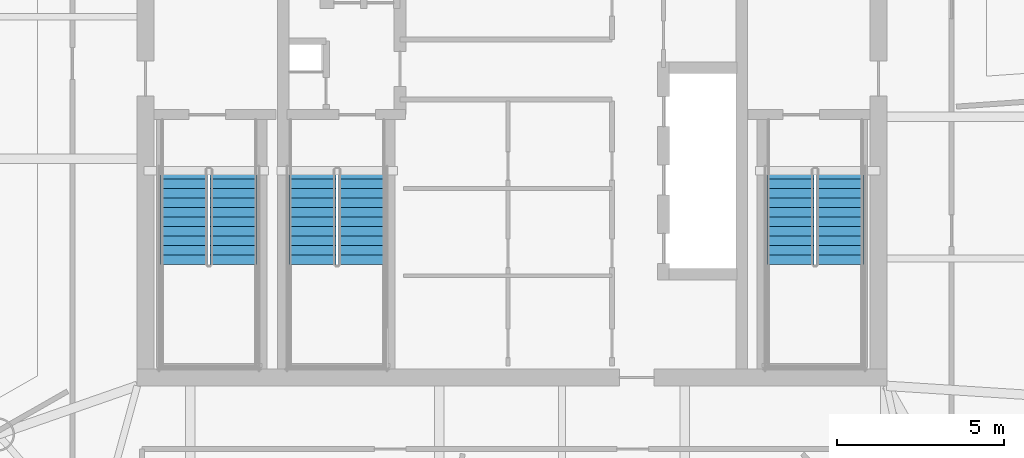
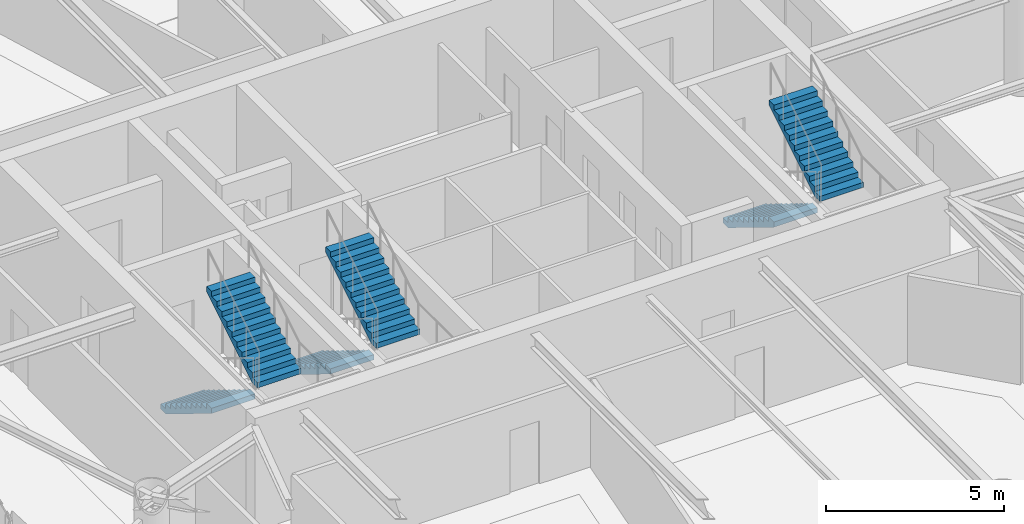
# One storey, part 19 of 23: 6 stair flights, 3 elements without a shape of their own.
"""IFC4 building model written with IfcOpenShell, lengths in metres."""

from ifc_helpers import new_model, si_unit, direction, frame, origin, place, context, subcontext, project, spatial, polyline, outline, extrude, material, type_object, element, aggregate, save


model = new_model("IFC4")

# Units and contexts
model_context = context("Model", 3, precision=1e-05, world=origin(), true_north=direction((0.0, 1.0)))
body_context = subcontext(model_context, "Body", "Model", "MODEL_VIEW")
ifc_project = project(units=[si_unit("LENGTHUNIT", "METRE"), si_unit("AREAUNIT", "SQUARE_METRE"), si_unit("VOLUMEUNIT", "CUBIC_METRE"), si_unit("PLANEANGLEUNIT", "RADIAN"), si_unit("MASSUNIT", "GRAM", prefix="KILO")], contexts=[model_context])

# Site, building, storey
site_placement = place(None, origin())
site = spatial("IfcSite", under=ifc_project, at=site_placement, CompositionType="ELEMENT")
building_placement = place(site_placement, origin())
building = spatial("IfcBuilding", under=site, at=building_placement, Name="Bramvorn Convention Spire", CompositionType="ELEMENT")
storey_placement = place(building_placement, frame((0.0, 0.0, 295.949951171875)))
storey = spatial("IfcBuildingStorey", under=building, at=storey_placement, Name="L75", CompositionType="ELEMENT", Elevation=295.949951171875)

# Stair, stair flights
ifc_material_1 = material(Name="Concrete C40/50 Precast Stair", Category="concrete")
stair_type = type_object("IfcStairType", Name="ST-TOWER-1550", PredefinedType="HALF_TURN_STAIR", material=ifc_material_1)
stair_1_placement = place(storey_placement, origin())
stair_1 = element("IfcStair", 1, at=stair_1_placement, inside=storey, type_object=stair_type, Name="L75 Protected Exit Stair ST1", PredefinedType="HALF_TURN_STAIR")
ifc_material_2 = material(Name="Concrete C40/50 Precast Stair Flight", Category="concrete")
stair_flight_type = type_object("IfcStairFlightType", Name="STF-TOWER-1550", PredefinedType="STRAIGHT", material=ifc_material_2)
stair_flight_1_placement = place(storey_placement, frame((28.155029296875, 25.050048828125, 0.0), z_axis=(0.0, 0.0, 1.0), x_axis=(0.0, -1.0, 0.0)))
stair_flight_1 = element("IfcStairFlight", 2, at=stair_flight_1_placement, type_object=stair_flight_type, Name="ST1 flight 1", NumberOfRisers=11, NumberOfTreads=10, PredefinedType="STRAIGHT", RiserHeight=0.175, TreadLength=0.285, context=body_context, shape_type="SweptSolid", body=[
    extrude(outline(polyline([(0.0, 0.0), (0.0, 0.175048828125), (0.284912109375, 0.175048828125), (0.284912109375, 0.35009765625), (0.570068359375, 0.35009765625), (0.570068359375, 0.52490234375), (0.85498046875, 0.52490234375), (0.85498046875, 0.699951171875), (1.139892578125, 0.699951171875), (1.139892578125, 0.875), (1.425048828125, 0.875), (1.425048828125, 1.050048828125), (1.7099609375, 1.050048828125), (1.7099609375, 1.22509765625), (1.9951171875, 1.22509765625), (1.9951171875, 1.39990234375), (2.280029296875, 1.39990234375), (2.280029296875, 1.574951171875), (2.56494140625, 1.574951171875), (2.56494140625, 1.75), (2.85009765625, 1.75), (2.85009765625, 1.925048828125), (2.85009765625, 1.573974609375), (0.286376953125, 0.0), (0.0, 0.0)])), frame((0.0, 0.705078125, 0.0), z_axis=(0.0, -1.0, 0.0), x_axis=(1.0, 0.0, 0.0)), (0.0, 0.0, 1.0), 1.409912109375),
])
stair_flight_2_placement = place(storey_placement, frame((29.64501953125, 22.199951171875, 1.925048828125), z_axis=(0.0, 0.0, 1.0), x_axis=(0.0, 1.0, 0.0)))
stair_flight_2 = element("IfcStairFlight", 3, at=stair_flight_2_placement, type_object=stair_flight_type, Name="ST1 flight 2", NumberOfRisers=11, NumberOfTreads=10, PredefinedType="STRAIGHT", RiserHeight=0.175, TreadLength=0.285, context=body_context, shape_type="SweptSolid", body=[
    extrude(outline(polyline([(0.0, 0.0), (0.0, 0.175048828125), (0.284912109375, 0.175048828125), (0.284912109375, 0.35009765625), (0.570068359375, 0.35009765625), (0.570068359375, 0.52490234375), (0.85498046875, 0.52490234375), (0.85498046875, 0.699951171875), (1.139892578125, 0.699951171875), (1.139892578125, 0.875), (1.425048828125, 0.875), (1.425048828125, 1.050048828125), (1.7099609375, 1.050048828125), (1.7099609375, 1.22509765625), (1.9951171875, 1.22509765625), (1.9951171875, 1.39990234375), (2.280029296875, 1.39990234375), (2.280029296875, 1.574951171875), (2.56494140625, 1.574951171875), (2.56494140625, 1.75), (2.85009765625, 1.75), (2.85009765625, 1.925048828125), (2.85009765625, 1.573974609375), (0.286376953125, 0.0), (0.0, 0.0)])), frame((0.0, 0.705078125, 0.0), z_axis=(0.0, -1.0, 0.0), x_axis=(1.0, 0.0, 0.0)), (0.0, 0.0, 1.0), 1.409912109375),
])
aggregate(stair_1, [stair_flight_1, stair_flight_2])

stair_2_placement = place(storey_placement, origin())
stair_2 = element("IfcStair", 4, at=stair_2_placement, inside=storey, type_object=stair_type, Name="L75 Protected Exit Stair ST2", PredefinedType="HALF_TURN_STAIR")
stair_flight_3_placement = place(storey_placement, frame((46.35498046875, 25.050048828125, 0.0), z_axis=(0.0, 0.0, 1.0), x_axis=(0.0, -1.0, 0.0)))
stair_flight_3 = element("IfcStairFlight", 5, at=stair_flight_3_placement, type_object=stair_flight_type, Name="ST2 flight 1", NumberOfRisers=11, NumberOfTreads=10, PredefinedType="STRAIGHT", RiserHeight=0.175, TreadLength=0.285, context=body_context, shape_type="SweptSolid", body=[
    extrude(outline(polyline([(0.0, 0.0), (0.0, 0.175048828125), (0.284912109375, 0.175048828125), (0.284912109375, 0.35009765625), (0.570068359375, 0.35009765625), (0.570068359375, 0.52490234375), (0.85498046875, 0.52490234375), (0.85498046875, 0.699951171875), (1.139892578125, 0.699951171875), (1.139892578125, 0.875), (1.425048828125, 0.875), (1.425048828125, 1.050048828125), (1.7099609375, 1.050048828125), (1.7099609375, 1.22509765625), (1.9951171875, 1.22509765625), (1.9951171875, 1.39990234375), (2.280029296875, 1.39990234375), (2.280029296875, 1.574951171875), (2.56494140625, 1.574951171875), (2.56494140625, 1.75), (2.85009765625, 1.75), (2.85009765625, 1.925048828125), (2.85009765625, 1.573974609375), (0.286376953125, 0.0), (0.0, 0.0)])), frame((0.0, 0.705078125, 0.0), z_axis=(0.0, -1.0, 0.0), x_axis=(1.0, 0.0, 0.0)), (0.0, 0.0, 1.0), 1.409912109375),
])
stair_flight_4_placement = place(storey_placement, frame((47.844970703125, 22.199951171875, 1.925048828125), z_axis=(0.0, 0.0, 1.0), x_axis=(0.0, 1.0, 0.0)))
stair_flight_4 = element("IfcStairFlight", 6, at=stair_flight_4_placement, type_object=stair_flight_type, Name="ST2 flight 2", NumberOfRisers=11, NumberOfTreads=10, PredefinedType="STRAIGHT", RiserHeight=0.175, TreadLength=0.285, context=body_context, shape_type="SweptSolid", body=[
    extrude(outline(polyline([(0.0, 0.0), (0.0, 0.175048828125), (0.284912109375, 0.175048828125), (0.284912109375, 0.35009765625), (0.570068359375, 0.35009765625), (0.570068359375, 0.52490234375), (0.85498046875, 0.52490234375), (0.85498046875, 0.699951171875), (1.139892578125, 0.699951171875), (1.139892578125, 0.875), (1.425048828125, 0.875), (1.425048828125, 1.050048828125), (1.7099609375, 1.050048828125), (1.7099609375, 1.22509765625), (1.9951171875, 1.22509765625), (1.9951171875, 1.39990234375), (2.280029296875, 1.39990234375), (2.280029296875, 1.574951171875), (2.56494140625, 1.574951171875), (2.56494140625, 1.75), (2.85009765625, 1.75), (2.85009765625, 1.925048828125), (2.85009765625, 1.573974609375), (0.286376953125, 0.0), (0.0, 0.0)])), frame((0.0, 0.705078125, 0.0), z_axis=(0.0, -1.0, 0.0), x_axis=(1.0, 0.0, 0.0)), (0.0, 0.0, 1.0), 1.409912109375),
])
aggregate(stair_2, [stair_flight_3, stair_flight_4])

stair_3_placement = place(storey_placement, origin())
stair_3 = element("IfcStair", 7, at=stair_3_placement, inside=storey, type_object=stair_type, Name="L75 Protected Exit Stair ST3", PredefinedType="HALF_TURN_STAIR")
stair_flight_5_placement = place(storey_placement, frame((32.0048828125, 25.050048828125, 0.0), z_axis=(0.0, 0.0, 1.0), x_axis=(0.0, -1.0, 0.0)))
stair_flight_5 = element("IfcStairFlight", 8, at=stair_flight_5_placement, type_object=stair_flight_type, Name="ST3 flight 1", NumberOfRisers=11, NumberOfTreads=10, PredefinedType="STRAIGHT", RiserHeight=0.175, TreadLength=0.285, context=body_context, shape_type="SweptSolid", body=[
    extrude(outline(polyline([(0.0, 0.0), (0.0, 0.175048828125), (0.284912109375, 0.175048828125), (0.284912109375, 0.35009765625), (0.570068359375, 0.35009765625), (0.570068359375, 0.52490234375), (0.85498046875, 0.52490234375), (0.85498046875, 0.699951171875), (1.139892578125, 0.699951171875), (1.139892578125, 0.875), (1.425048828125, 0.875), (1.425048828125, 1.050048828125), (1.7099609375, 1.050048828125), (1.7099609375, 1.22509765625), (1.9951171875, 1.22509765625), (1.9951171875, 1.39990234375), (2.280029296875, 1.39990234375), (2.280029296875, 1.574951171875), (2.56494140625, 1.574951171875), (2.56494140625, 1.75), (2.85009765625, 1.75), (2.85009765625, 1.925048828125), (2.85009765625, 1.573974609375), (0.286376953125, 0.0), (0.0, 0.0)])), frame((0.0, 0.705078125, 0.0), z_axis=(0.0, -1.0, 0.0), x_axis=(1.0, 0.0, 0.0)), (0.0, 0.0, 1.0), 1.409912109375),
])
stair_flight_6_placement = place(storey_placement, frame((33.4951171875, 22.199951171875, 1.925048828125), z_axis=(0.0, 0.0, 1.0), x_axis=(0.0, 1.0, 0.0)))
stair_flight_6 = element("IfcStairFlight", 9, at=stair_flight_6_placement, type_object=stair_flight_type, Name="ST3 flight 2", NumberOfRisers=11, NumberOfTreads=10, PredefinedType="STRAIGHT", RiserHeight=0.175, TreadLength=0.285, context=body_context, shape_type="SweptSolid", body=[
    extrude(outline(polyline([(0.0, 0.0), (0.0, 0.175048828125), (0.284912109375, 0.175048828125), (0.284912109375, 0.35009765625), (0.570068359375, 0.35009765625), (0.570068359375, 0.52490234375), (0.85498046875, 0.52490234375), (0.85498046875, 0.699951171875), (1.139892578125, 0.699951171875), (1.139892578125, 0.875), (1.425048828125, 0.875), (1.425048828125, 1.050048828125), (1.7099609375, 1.050048828125), (1.7099609375, 1.22509765625), (1.9951171875, 1.22509765625), (1.9951171875, 1.39990234375), (2.280029296875, 1.39990234375), (2.280029296875, 1.574951171875), (2.56494140625, 1.574951171875), (2.56494140625, 1.75), (2.85009765625, 1.75), (2.85009765625, 1.925048828125), (2.85009765625, 1.573974609375), (0.286376953125, 0.0), (0.0, 0.0)])), frame((0.0, 0.705078125, 0.0), z_axis=(0.0, -1.0, 0.0), x_axis=(1.0, 0.0, 0.0)), (0.0, 0.0, 1.0), 1.409912109375),
])
aggregate(stair_3, [stair_flight_5, stair_flight_6])

save(model, "model.ifc")
